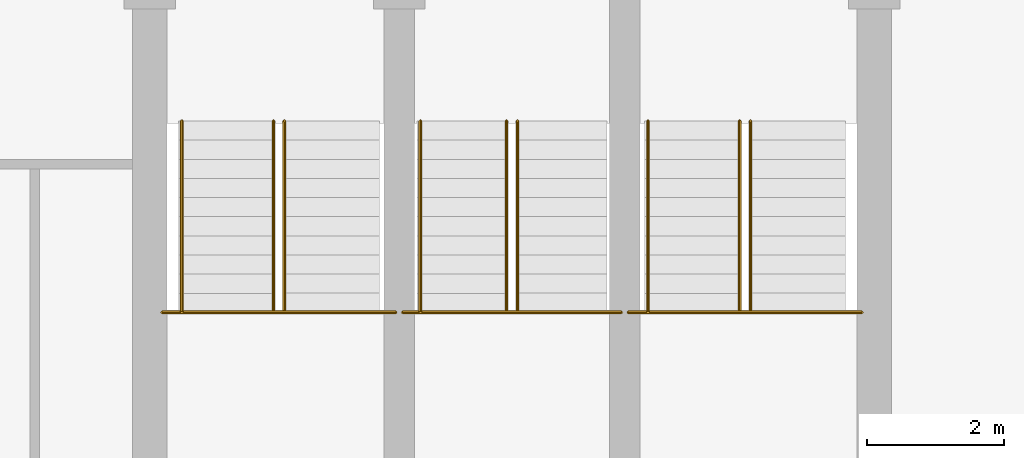
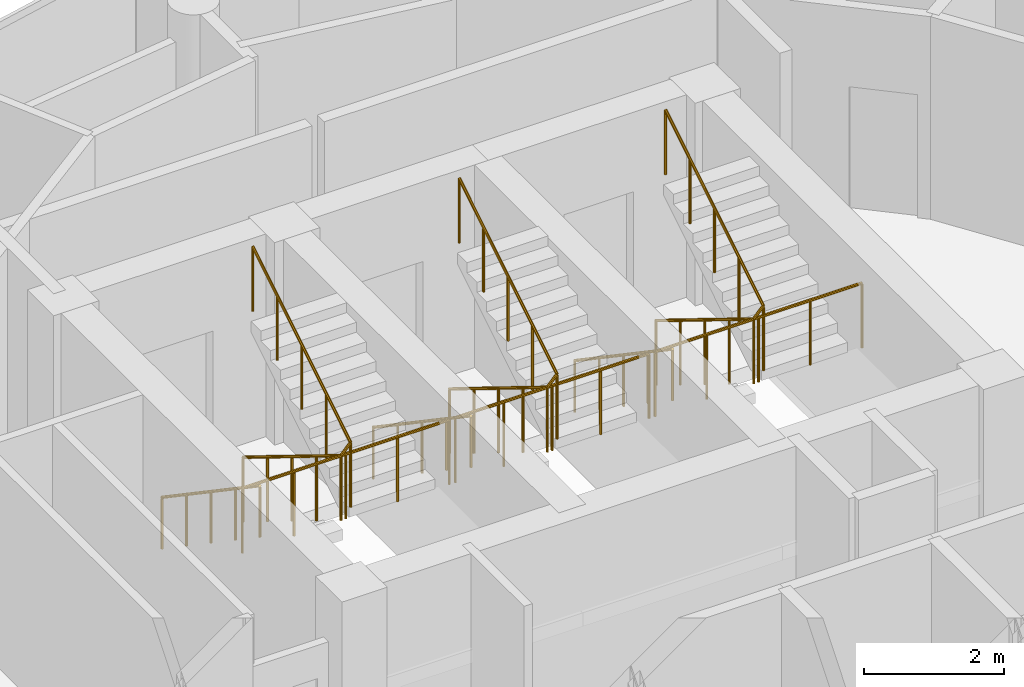
# One storey, part 24 of 24: 9 railings.
"""IFC4 building model written with IfcOpenShell, lengths in metres."""

from ifc_helpers import new_model, si_unit, direction, frame, origin, place, context, subcontext, project, spatial, polyline, outline, extrude, material, type_object, element, save


model = new_model("IFC4")

# Units and contexts
model_context = context("Model", 3, precision=1e-05, world=origin(), true_north=direction((0.0, 1.0)))
body_context = subcontext(model_context, "Body", "Model", "MODEL_VIEW")
ifc_project = project(units=[si_unit("LENGTHUNIT", "METRE"), si_unit("AREAUNIT", "SQUARE_METRE"), si_unit("VOLUMEUNIT", "CUBIC_METRE"), si_unit("PLANEANGLEUNIT", "RADIAN"), si_unit("MASSUNIT", "GRAM", prefix="KILO")], contexts=[model_context])

# Site, building, storey
site_placement = place(None, origin())
site = spatial("IfcSite", under=ifc_project, at=site_placement, CompositionType="ELEMENT")
building_placement = place(site_placement, origin())
building = spatial("IfcBuilding", under=site, at=building_placement, Name="Nuhasar Tower", CompositionType="ELEMENT")
storey_placement = place(building_placement, frame((0.0, 0.0, 274.60009765625)))
storey = spatial("IfcBuildingStorey", under=building, at=storey_placement, Name="L68", CompositionType="ELEMENT", Elevation=274.60009765625)

# Railings
ifc_material_1 = material(Name="Steel S355", Category="steel")
railing_type_1 = type_object("IfcRailingType", Name="RLG-STAIR-GUARD-1150", PredefinedType="GUARDRAIL", material=ifc_material_1)
railing_1_placement = place(storey_placement, frame((33.8798828125, 32.485107421875, 1.89990234375)))
element("IfcRailing", 1, at=railing_1_placement, inside=storey, type_object=railing_type_1, Name="L68 Stair ST-01 Guardrail LND", PredefinedType="GUARDRAIL", context=body_context, shape_type="SweptSolid", body=[
    extrude(outline(polyline([(0.024169921875, 0.0), (0.01708984375, 0.01708984375), (0.0, 0.024169921875), (-0.01708984375, 0.01708984375), (-0.024169921875, 0.0), (-0.01708984375, -0.01708984375), (0.0, -0.024169921875), (0.01708984375, -0.01708984375), (0.024169921875, 0.0)])), frame((0.0, 0.0, 1.1259765625), z_axis=(1.0, 0.0, 0.0), x_axis=(0.0, 1.0, 0.0)), (0.0, 0.0, 1.0), 3.420166015625),
    extrude(outline(polyline([(0.02099609375, 0.0), (0.014892578125, 0.014892578125), (0.0, 0.02099609375), (-0.014892578125, 0.014892578125), (-0.02099609375, 0.0), (-0.014892578125, -0.014892578125), (0.0, -0.02099609375), (0.014892578125, -0.014892578125), (0.02099609375, 0.0)])), origin(), (0.0, 0.0, 1.0), 1.101806640625),
    extrude(outline(polyline([(0.02099609375, 0.0), (0.014892578125, 0.014892578125), (0.0, 0.02099609375), (-0.014892578125, 0.014892578125), (-0.02099609375, 0.0), (-0.014892578125, -0.014892578125), (0.0, -0.02099609375), (0.014892578125, -0.014892578125), (0.02099609375, 0.0)])), frame((0.85498046875, 0.0, 0.0)), (0.0, 0.0, 1.0), 1.101806640625),
    extrude(outline(polyline([(0.02099609375, 0.0), (0.014892578125, 0.014892578125), (0.0, 0.02099609375), (-0.014892578125, 0.014892578125), (-0.02099609375, 0.0), (-0.014892578125, -0.014892578125), (0.0, -0.02099609375), (0.014892578125, -0.014892578125), (0.02099609375, 0.0)])), frame((1.7099609375, 0.0, 0.0)), (0.0, 0.0, 1.0), 1.101806640625),
    extrude(outline(polyline([(0.02099609375, 0.0), (0.014892578125, 0.014892578125), (0.0, 0.02099609375), (-0.014892578125, 0.014892578125), (-0.02099609375, 0.0), (-0.014892578125, -0.014892578125), (0.0, -0.02099609375), (0.014892578125, -0.014892578125), (0.02099609375, 0.0)])), frame((2.565185546875, 0.0, 0.0)), (0.0, 0.0, 1.0), 1.101806640625),
    extrude(outline(polyline([(0.02099609375, 0.0), (0.014892578125, 0.014892578125), (0.0, 0.02099609375), (-0.014892578125, 0.014892578125), (-0.02099609375, 0.0), (-0.014892578125, -0.014892578125), (0.0, -0.02099609375), (0.014892578125, -0.014892578125), (0.02099609375, 0.0)])), frame((3.420166015625, 0.0, 0.0)), (0.0, 0.0, 1.0), 1.101806640625),
])
railing_2_placement = place(storey_placement, frame((35.510009765625, 35.284912109375, 0.1728515625)))
element("IfcRailing", 2, at=railing_2_placement, inside=storey, type_object=railing_type_1, Name="L68 Stair ST-01 Guardrail SLT", PredefinedType="GUARDRAIL", context=body_context, shape_type="SweptSolid", body=[
    extrude(outline(polyline([(0.024169921875, 0.0), (0.01708984375, 0.01708984375), (0.0, 0.024169921875), (-0.01708984375, 0.01708984375), (-0.024169921875, 0.0), (-0.01708984375, -0.01708984375), (0.0, -0.024169921875), (0.01708984375, -0.01708984375), (0.024169921875, 0.0)])), frame((0.0, 0.0, 1.1259765625), z_axis=(0.0, -0.851102337555, 0.524999820009), x_axis=(1.0, 0.0, 0.0)), (0.0, 0.0, 1.0), 3.28955078125),
    extrude(outline(polyline([(0.024169921875, 0.0), (0.01708984375, 0.01708984375), (0.0, 0.024169921875), (-0.01708984375, 0.01708984375), (-0.024169921875, 0.0), (-0.01708984375, -0.01708984375), (0.0, -0.024169921875), (0.01708984375, -0.01708984375), (0.024169921875, 0.0)])), frame((0.0, -2.7998046875, 2.85302734375), z_axis=(0.678581247581, 0.0, 0.734525350435), x_axis=(0.0, 1.0, 0.0)), (0.0, 0.0, 1.0), 0.235595703125),
    extrude(outline(polyline([(0.024169921875, 0.0), (0.01708984375, 0.01708984375), (0.0, 0.024169921875), (-0.01708984375, 0.01708984375), (-0.024169921875, 0.0), (-0.01708984375, -0.01708984375), (0.0, -0.024169921875), (0.01708984375, -0.01708984375), (0.024169921875, 0.0)])), frame((0.159912109375, -2.7998046875, 3.02587890625), z_axis=(0.0, 0.851135498715, 0.524946057064), x_axis=(-1.0, 0.0, 0.0)), (0.0, 0.0, 1.0), 3.28955078125),
    extrude(outline(polyline([(0.02099609375, 0.0), (0.014892578125, 0.014892578125), (0.0, 0.02099609375), (-0.014892578125, 0.014892578125), (-0.02099609375, 0.0), (-0.014892578125, -0.014892578125), (0.0, -0.02099609375), (0.014892578125, -0.014892578125), (0.02099609375, 0.0)])), origin(), (0.0, 0.0, 1.0), 1.101806640625),
    extrude(outline(polyline([(0.02099609375, 0.0), (0.014892578125, 0.014892578125), (0.0, 0.02099609375), (-0.014892578125, 0.014892578125), (-0.02099609375, 0.0), (-0.014892578125, -0.014892578125), (0.0, -0.02099609375), (0.014892578125, -0.014892578125), (0.02099609375, 0.0)])), frame((0.0, -0.699951171875, 0.431640625)), (0.0, 0.0, 1.0), 1.101806640625),
    extrude(outline(polyline([(0.02099609375, 0.0), (0.014892578125, 0.014892578125), (0.0, 0.02099609375), (-0.014892578125, 0.014892578125), (-0.02099609375, 0.0), (-0.014892578125, -0.014892578125), (0.0, -0.02099609375), (0.014892578125, -0.014892578125), (0.02099609375, 0.0)])), frame((0.0, -1.39990234375, 0.863525390625)), (0.0, 0.0, 1.0), 1.101806640625),
    extrude(outline(polyline([(0.02099609375, 0.0), (0.014892578125, 0.014892578125), (0.0, 0.02099609375), (-0.014892578125, 0.014892578125), (-0.02099609375, 0.0), (-0.014892578125, -0.014892578125), (0.0, -0.02099609375), (0.014892578125, -0.014892578125), (0.02099609375, 0.0)])), frame((0.0, -2.099853515625, 1.29541015625)), (0.0, 0.0, 1.0), 1.101806640625),
    extrude(outline(polyline([(0.02099609375, 0.0), (0.014892578125, 0.014892578125), (0.0, 0.02099609375), (-0.014892578125, 0.014892578125), (-0.02099609375, 0.0), (-0.014892578125, -0.014892578125), (0.0, -0.02099609375), (0.014892578125, -0.014892578125), (0.02099609375, 0.0)])), frame((0.0, -2.7998046875, 1.72705078125)), (0.0, 0.0, 1.0), 1.101806640625),
    extrude(outline(polyline([(0.02099609375, 0.0), (0.014892578125, 0.014892578125), (0.0, 0.02099609375), (-0.014892578125, 0.014892578125), (-0.02099609375, 0.0), (-0.014892578125, -0.014892578125), (0.0, -0.02099609375), (0.014892578125, -0.014892578125), (0.02099609375, 0.0)])), frame((0.159912109375, -2.7998046875, 1.900146484375)), (0.0, 0.0, 1.0), 1.101806640625),
    extrude(outline(polyline([(0.02099609375, 0.0), (0.014892578125, 0.014892578125), (0.0, 0.02099609375), (-0.014892578125, 0.014892578125), (-0.02099609375, 0.0), (-0.014892578125, -0.014892578125), (0.0, -0.02099609375), (0.014892578125, -0.014892578125), (0.02099609375, 0.0)])), frame((0.159912109375, -2.099853515625, 2.331787109375)), (0.0, 0.0, 1.0), 1.101806640625),
    extrude(outline(polyline([(0.02099609375, 0.0), (0.014892578125, 0.014892578125), (0.0, 0.02099609375), (-0.014892578125, 0.014892578125), (-0.02099609375, 0.0), (-0.014892578125, -0.014892578125), (0.0, -0.02099609375), (0.014892578125, -0.014892578125), (0.02099609375, 0.0)])), frame((0.159912109375, -1.39990234375, 2.763671875)), (0.0, 0.0, 1.0), 1.101806640625),
    extrude(outline(polyline([(0.02099609375, 0.0), (0.014892578125, 0.014892578125), (0.0, 0.02099609375), (-0.014892578125, 0.014892578125), (-0.02099609375, 0.0), (-0.014892578125, -0.014892578125), (0.0, -0.02099609375), (0.014892578125, -0.014892578125), (0.02099609375, 0.0)])), frame((0.159912109375, -0.699951171875, 3.1953125)), (0.0, 0.0, 1.0), 1.101806640625),
    extrude(outline(polyline([(0.02099609375, 0.0), (0.014892578125, 0.014892578125), (0.0, 0.02099609375), (-0.014892578125, 0.014892578125), (-0.02099609375, 0.0), (-0.014892578125, -0.014892578125), (0.0, -0.02099609375), (0.014892578125, -0.014892578125), (0.02099609375, 0.0)])), frame((0.159912109375, 0.0, 3.626953125)), (0.0, 0.0, 1.0), 1.101806640625),
])
railing_3_placement = place(storey_placement, frame((37.39990234375, 32.485107421875, 1.89990234375)))
element("IfcRailing", 3, at=railing_3_placement, inside=storey, type_object=railing_type_1, Name="L68 Stair ST-03 Guardrail LND", PredefinedType="GUARDRAIL", context=body_context, shape_type="SweptSolid", body=[
    extrude(outline(polyline([(0.024169921875, 0.0), (0.01708984375, 0.01708984375), (0.0, 0.024169921875), (-0.01708984375, 0.01708984375), (-0.024169921875, 0.0), (-0.01708984375, -0.01708984375), (0.0, -0.024169921875), (0.01708984375, -0.01708984375), (0.024169921875, 0.0)])), frame((0.0, 0.0, 1.1259765625), z_axis=(1.0, 0.0, 0.0), x_axis=(0.0, 1.0, 0.0)), (0.0, 0.0, 1.0), 3.2001953125),
    extrude(outline(polyline([(0.02099609375, 0.0), (0.014892578125, 0.014892578125), (0.0, 0.02099609375), (-0.014892578125, 0.014892578125), (-0.02099609375, 0.0), (-0.014892578125, -0.014892578125), (0.0, -0.02099609375), (0.014892578125, -0.014892578125), (0.02099609375, 0.0)])), origin(), (0.0, 0.0, 1.0), 1.101806640625),
    extrude(outline(polyline([(0.02099609375, 0.0), (0.014892578125, 0.014892578125), (0.0, 0.02099609375), (-0.014892578125, 0.014892578125), (-0.02099609375, 0.0), (-0.014892578125, -0.014892578125), (0.0, -0.02099609375), (0.014892578125, -0.014892578125), (0.02099609375, 0.0)])), frame((0.800048828125, 0.0, 0.0)), (0.0, 0.0, 1.0), 1.101806640625),
    extrude(outline(polyline([(0.02099609375, 0.0), (0.014892578125, 0.014892578125), (0.0, 0.02099609375), (-0.014892578125, 0.014892578125), (-0.02099609375, 0.0), (-0.014892578125, -0.014892578125), (0.0, -0.02099609375), (0.014892578125, -0.014892578125), (0.02099609375, 0.0)])), frame((1.60009765625, 0.0, 0.0)), (0.0, 0.0, 1.0), 1.101806640625),
    extrude(outline(polyline([(0.02099609375, 0.0), (0.014892578125, 0.014892578125), (0.0, 0.02099609375), (-0.014892578125, 0.014892578125), (-0.02099609375, 0.0), (-0.014892578125, -0.014892578125), (0.0, -0.02099609375), (0.014892578125, -0.014892578125), (0.02099609375, 0.0)])), frame((2.400146484375, 0.0, 0.0)), (0.0, 0.0, 1.0), 1.101806640625),
    extrude(outline(polyline([(0.02099609375, 0.0), (0.014892578125, 0.014892578125), (0.0, 0.02099609375), (-0.014892578125, 0.014892578125), (-0.02099609375, 0.0), (-0.014892578125, -0.014892578125), (0.0, -0.02099609375), (0.014892578125, -0.014892578125), (0.02099609375, 0.0)])), frame((3.2001953125, 0.0, 0.0)), (0.0, 0.0, 1.0), 1.101806640625),
])
railing_4_placement = place(storey_placement, frame((38.919921875, 35.284912109375, 0.1728515625)))
element("IfcRailing", 4, at=railing_4_placement, inside=storey, type_object=railing_type_1, Name="L68 Stair ST-03 Guardrail SLT", PredefinedType="GUARDRAIL", context=body_context, shape_type="SweptSolid", body=[
    extrude(outline(polyline([(0.024169921875, 0.0), (0.01708984375, 0.01708984375), (0.0, 0.024169921875), (-0.01708984375, 0.01708984375), (-0.024169921875, 0.0), (-0.01708984375, -0.01708984375), (0.0, -0.024169921875), (0.01708984375, -0.01708984375), (0.024169921875, 0.0)])), frame((0.0, 0.0, 1.1259765625), z_axis=(0.0, -0.851102337555, 0.524999820009), x_axis=(1.0, 0.0, 0.0)), (0.0, 0.0, 1.0), 3.28955078125),
    extrude(outline(polyline([(0.024169921875, 0.0), (0.01708984375, 0.01708984375), (0.0, 0.024169921875), (-0.01708984375, 0.01708984375), (-0.024169921875, 0.0), (-0.01708984375, -0.01708984375), (0.0, -0.024169921875), (0.01708984375, -0.01708984375), (0.024169921875, 0.0)])), frame((0.0, -2.7998046875, 2.85302734375), z_axis=(0.679139610055, 0.0, 0.734009121234), x_axis=(0.0, 1.0, 0.0)), (0.0, 0.0, 1.0), 0.23583984375),
    extrude(outline(polyline([(0.024169921875, 0.0), (0.01708984375, 0.01708984375), (0.0, 0.024169921875), (-0.01708984375, 0.01708984375), (-0.024169921875, 0.0), (-0.01708984375, -0.01708984375), (0.0, -0.024169921875), (0.01708984375, -0.01708984375), (0.024169921875, 0.0)])), frame((0.16015625, -2.7998046875, 3.02587890625), z_axis=(0.0, 0.851135498715, 0.524946057064), x_axis=(-1.0, 0.0, 0.0)), (0.0, 0.0, 1.0), 3.28955078125),
    extrude(outline(polyline([(0.02099609375, 0.0), (0.014892578125, 0.014892578125), (0.0, 0.02099609375), (-0.014892578125, 0.014892578125), (-0.02099609375, 0.0), (-0.014892578125, -0.014892578125), (0.0, -0.02099609375), (0.014892578125, -0.014892578125), (0.02099609375, 0.0)])), origin(), (0.0, 0.0, 1.0), 1.101806640625),
    extrude(outline(polyline([(0.02099609375, 0.0), (0.014892578125, 0.014892578125), (0.0, 0.02099609375), (-0.014892578125, 0.014892578125), (-0.02099609375, 0.0), (-0.014892578125, -0.014892578125), (0.0, -0.02099609375), (0.014892578125, -0.014892578125), (0.02099609375, 0.0)])), frame((0.0, -0.699951171875, 0.431640625)), (0.0, 0.0, 1.0), 1.101806640625),
    extrude(outline(polyline([(0.02099609375, 0.0), (0.014892578125, 0.014892578125), (0.0, 0.02099609375), (-0.014892578125, 0.014892578125), (-0.02099609375, 0.0), (-0.014892578125, -0.014892578125), (0.0, -0.02099609375), (0.014892578125, -0.014892578125), (0.02099609375, 0.0)])), frame((0.0, -1.39990234375, 0.863525390625)), (0.0, 0.0, 1.0), 1.101806640625),
    extrude(outline(polyline([(0.02099609375, 0.0), (0.014892578125, 0.014892578125), (0.0, 0.02099609375), (-0.014892578125, 0.014892578125), (-0.02099609375, 0.0), (-0.014892578125, -0.014892578125), (0.0, -0.02099609375), (0.014892578125, -0.014892578125), (0.02099609375, 0.0)])), frame((0.0, -2.099853515625, 1.29541015625)), (0.0, 0.0, 1.0), 1.101806640625),
    extrude(outline(polyline([(0.02099609375, 0.0), (0.014892578125, 0.014892578125), (0.0, 0.02099609375), (-0.014892578125, 0.014892578125), (-0.02099609375, 0.0), (-0.014892578125, -0.014892578125), (0.0, -0.02099609375), (0.014892578125, -0.014892578125), (0.02099609375, 0.0)])), frame((0.0, -2.7998046875, 1.72705078125)), (0.0, 0.0, 1.0), 1.101806640625),
    extrude(outline(polyline([(0.02099609375, 0.0), (0.014892578125, 0.014892578125), (0.0, 0.02099609375), (-0.014892578125, 0.014892578125), (-0.02099609375, 0.0), (-0.014892578125, -0.014892578125), (0.0, -0.02099609375), (0.014892578125, -0.014892578125), (0.02099609375, 0.0)])), frame((0.16015625, -2.7998046875, 1.900146484375)), (0.0, 0.0, 1.0), 1.101806640625),
    extrude(outline(polyline([(0.02099609375, 0.0), (0.014892578125, 0.014892578125), (0.0, 0.02099609375), (-0.014892578125, 0.014892578125), (-0.02099609375, 0.0), (-0.014892578125, -0.014892578125), (0.0, -0.02099609375), (0.014892578125, -0.014892578125), (0.02099609375, 0.0)])), frame((0.16015625, -2.099853515625, 2.331787109375)), (0.0, 0.0, 1.0), 1.101806640625),
    extrude(outline(polyline([(0.02099609375, 0.0), (0.014892578125, 0.014892578125), (0.0, 0.02099609375), (-0.014892578125, 0.014892578125), (-0.02099609375, 0.0), (-0.014892578125, -0.014892578125), (0.0, -0.02099609375), (0.014892578125, -0.014892578125), (0.02099609375, 0.0)])), frame((0.16015625, -1.39990234375, 2.763671875)), (0.0, 0.0, 1.0), 1.101806640625),
    extrude(outline(polyline([(0.02099609375, 0.0), (0.014892578125, 0.014892578125), (0.0, 0.02099609375), (-0.014892578125, 0.014892578125), (-0.02099609375, 0.0), (-0.014892578125, -0.014892578125), (0.0, -0.02099609375), (0.014892578125, -0.014892578125), (0.02099609375, 0.0)])), frame((0.16015625, -0.699951171875, 3.1953125)), (0.0, 0.0, 1.0), 1.101806640625),
    extrude(outline(polyline([(0.02099609375, 0.0), (0.014892578125, 0.014892578125), (0.0, 0.02099609375), (-0.014892578125, 0.014892578125), (-0.02099609375, 0.0), (-0.014892578125, -0.014892578125), (0.0, -0.02099609375), (0.014892578125, -0.014892578125), (0.02099609375, 0.0)])), frame((0.16015625, 0.0, 3.626953125)), (0.0, 0.0, 1.0), 1.101806640625),
])
railing_5_placement = place(storey_placement, frame((40.699951171875, 32.485107421875, 1.89990234375)))
element("IfcRailing", 5, at=railing_5_placement, inside=storey, type_object=railing_type_1, Name="L68 Stair ST-02 Guardrail LND", PredefinedType="GUARDRAIL", context=body_context, shape_type="SweptSolid", body=[
    extrude(outline(polyline([(0.024169921875, 0.0), (0.01708984375, 0.01708984375), (0.0, 0.024169921875), (-0.01708984375, 0.01708984375), (-0.024169921875, 0.0), (-0.01708984375, -0.01708984375), (0.0, -0.024169921875), (0.01708984375, -0.01708984375), (0.024169921875, 0.0)])), frame((0.0, 0.0, 1.1259765625), z_axis=(1.0, 0.0, 0.0), x_axis=(0.0, 1.0, 0.0)), (0.0, 0.0, 1.0), 3.420166015625),
    extrude(outline(polyline([(0.02099609375, 0.0), (0.014892578125, 0.014892578125), (0.0, 0.02099609375), (-0.014892578125, 0.014892578125), (-0.02099609375, 0.0), (-0.014892578125, -0.014892578125), (0.0, -0.02099609375), (0.014892578125, -0.014892578125), (0.02099609375, 0.0)])), origin(), (0.0, 0.0, 1.0), 1.101806640625),
    extrude(outline(polyline([(0.02099609375, 0.0), (0.014892578125, 0.014892578125), (0.0, 0.02099609375), (-0.014892578125, 0.014892578125), (-0.02099609375, 0.0), (-0.014892578125, -0.014892578125), (0.0, -0.02099609375), (0.014892578125, -0.014892578125), (0.02099609375, 0.0)])), frame((0.85498046875, 0.0, 0.0)), (0.0, 0.0, 1.0), 1.101806640625),
    extrude(outline(polyline([(0.02099609375, 0.0), (0.014892578125, 0.014892578125), (0.0, 0.02099609375), (-0.014892578125, 0.014892578125), (-0.02099609375, 0.0), (-0.014892578125, -0.014892578125), (0.0, -0.02099609375), (0.014892578125, -0.014892578125), (0.02099609375, 0.0)])), frame((1.7099609375, 0.0, 0.0)), (0.0, 0.0, 1.0), 1.101806640625),
    extrude(outline(polyline([(0.02099609375, 0.0), (0.014892578125, 0.014892578125), (0.0, 0.02099609375), (-0.014892578125, 0.014892578125), (-0.02099609375, 0.0), (-0.014892578125, -0.014892578125), (0.0, -0.02099609375), (0.014892578125, -0.014892578125), (0.02099609375, 0.0)])), frame((2.565185546875, 0.0, 0.0)), (0.0, 0.0, 1.0), 1.101806640625),
    extrude(outline(polyline([(0.02099609375, 0.0), (0.014892578125, 0.014892578125), (0.0, 0.02099609375), (-0.014892578125, 0.014892578125), (-0.02099609375, 0.0), (-0.014892578125, -0.014892578125), (0.0, -0.02099609375), (0.014892578125, -0.014892578125), (0.02099609375, 0.0)])), frame((3.420166015625, 0.0, 0.0)), (0.0, 0.0, 1.0), 1.101806640625),
])
railing_6_placement = place(storey_placement, frame((42.330078125, 35.284912109375, 0.1728515625)))
element("IfcRailing", 6, at=railing_6_placement, inside=storey, type_object=railing_type_1, Name="L68 Stair ST-02 Guardrail SLT", PredefinedType="GUARDRAIL", context=body_context, shape_type="SweptSolid", body=[
    extrude(outline(polyline([(0.024169921875, 0.0), (0.01708984375, 0.01708984375), (0.0, 0.024169921875), (-0.01708984375, 0.01708984375), (-0.024169921875, 0.0), (-0.01708984375, -0.01708984375), (0.0, -0.024169921875), (0.01708984375, -0.01708984375), (0.024169921875, 0.0)])), frame((0.0, 0.0, 1.1259765625), z_axis=(0.0, -0.851102337555, 0.524999820009), x_axis=(1.0, 0.0, 0.0)), (0.0, 0.0, 1.0), 3.28955078125),
    extrude(outline(polyline([(0.024169921875, 0.0), (0.01708984375, 0.01708984375), (0.0, 0.024169921875), (-0.01708984375, 0.01708984375), (-0.024169921875, 0.0), (-0.01708984375, -0.01708984375), (0.0, -0.024169921875), (0.01708984375, -0.01708984375), (0.024169921875, 0.0)])), frame((0.0, -2.7998046875, 2.85302734375), z_axis=(0.678581247581, 0.0, 0.734525350435), x_axis=(0.0, 1.0, 0.0)), (0.0, 0.0, 1.0), 0.235595703125),
    extrude(outline(polyline([(0.024169921875, 0.0), (0.01708984375, 0.01708984375), (0.0, 0.024169921875), (-0.01708984375, 0.01708984375), (-0.024169921875, 0.0), (-0.01708984375, -0.01708984375), (0.0, -0.024169921875), (0.01708984375, -0.01708984375), (0.024169921875, 0.0)])), frame((0.159912109375, -2.7998046875, 3.02587890625), z_axis=(0.0, 0.851135498715, 0.524946057064), x_axis=(-1.0, 0.0, 0.0)), (0.0, 0.0, 1.0), 3.28955078125),
    extrude(outline(polyline([(0.02099609375, 0.0), (0.014892578125, 0.014892578125), (0.0, 0.02099609375), (-0.014892578125, 0.014892578125), (-0.02099609375, 0.0), (-0.014892578125, -0.014892578125), (0.0, -0.02099609375), (0.014892578125, -0.014892578125), (0.02099609375, 0.0)])), origin(), (0.0, 0.0, 1.0), 1.101806640625),
    extrude(outline(polyline([(0.02099609375, 0.0), (0.014892578125, 0.014892578125), (0.0, 0.02099609375), (-0.014892578125, 0.014892578125), (-0.02099609375, 0.0), (-0.014892578125, -0.014892578125), (0.0, -0.02099609375), (0.014892578125, -0.014892578125), (0.02099609375, 0.0)])), frame((0.0, -0.699951171875, 0.431640625)), (0.0, 0.0, 1.0), 1.101806640625),
    extrude(outline(polyline([(0.02099609375, 0.0), (0.014892578125, 0.014892578125), (0.0, 0.02099609375), (-0.014892578125, 0.014892578125), (-0.02099609375, 0.0), (-0.014892578125, -0.014892578125), (0.0, -0.02099609375), (0.014892578125, -0.014892578125), (0.02099609375, 0.0)])), frame((0.0, -1.39990234375, 0.863525390625)), (0.0, 0.0, 1.0), 1.101806640625),
    extrude(outline(polyline([(0.02099609375, 0.0), (0.014892578125, 0.014892578125), (0.0, 0.02099609375), (-0.014892578125, 0.014892578125), (-0.02099609375, 0.0), (-0.014892578125, -0.014892578125), (0.0, -0.02099609375), (0.014892578125, -0.014892578125), (0.02099609375, 0.0)])), frame((0.0, -2.099853515625, 1.29541015625)), (0.0, 0.0, 1.0), 1.101806640625),
    extrude(outline(polyline([(0.02099609375, 0.0), (0.014892578125, 0.014892578125), (0.0, 0.02099609375), (-0.014892578125, 0.014892578125), (-0.02099609375, 0.0), (-0.014892578125, -0.014892578125), (0.0, -0.02099609375), (0.014892578125, -0.014892578125), (0.02099609375, 0.0)])), frame((0.0, -2.7998046875, 1.72705078125)), (0.0, 0.0, 1.0), 1.101806640625),
    extrude(outline(polyline([(0.02099609375, 0.0), (0.014892578125, 0.014892578125), (0.0, 0.02099609375), (-0.014892578125, 0.014892578125), (-0.02099609375, 0.0), (-0.014892578125, -0.014892578125), (0.0, -0.02099609375), (0.014892578125, -0.014892578125), (0.02099609375, 0.0)])), frame((0.159912109375, -2.7998046875, 1.900146484375)), (0.0, 0.0, 1.0), 1.101806640625),
    extrude(outline(polyline([(0.02099609375, 0.0), (0.014892578125, 0.014892578125), (0.0, 0.02099609375), (-0.014892578125, 0.014892578125), (-0.02099609375, 0.0), (-0.014892578125, -0.014892578125), (0.0, -0.02099609375), (0.014892578125, -0.014892578125), (0.02099609375, 0.0)])), frame((0.159912109375, -2.099853515625, 2.331787109375)), (0.0, 0.0, 1.0), 1.101806640625),
    extrude(outline(polyline([(0.02099609375, 0.0), (0.014892578125, 0.014892578125), (0.0, 0.02099609375), (-0.014892578125, 0.014892578125), (-0.02099609375, 0.0), (-0.014892578125, -0.014892578125), (0.0, -0.02099609375), (0.014892578125, -0.014892578125), (0.02099609375, 0.0)])), frame((0.159912109375, -1.39990234375, 2.763671875)), (0.0, 0.0, 1.0), 1.101806640625),
    extrude(outline(polyline([(0.02099609375, 0.0), (0.014892578125, 0.014892578125), (0.0, 0.02099609375), (-0.014892578125, 0.014892578125), (-0.02099609375, 0.0), (-0.014892578125, -0.014892578125), (0.0, -0.02099609375), (0.014892578125, -0.014892578125), (0.02099609375, 0.0)])), frame((0.159912109375, -0.699951171875, 3.1953125)), (0.0, 0.0, 1.0), 1.101806640625),
    extrude(outline(polyline([(0.02099609375, 0.0), (0.014892578125, 0.014892578125), (0.0, 0.02099609375), (-0.014892578125, 0.014892578125), (-0.02099609375, 0.0), (-0.014892578125, -0.014892578125), (0.0, -0.02099609375), (0.014892578125, -0.014892578125), (0.02099609375, 0.0)])), frame((0.159912109375, 0.0, 3.626953125)), (0.0, 0.0, 1.0), 1.101806640625),
])
ifc_material_2 = material(Name="Stainless Steel 316L", Category="steel")
railing_type_2 = type_object("IfcRailingType", Name="RLG-STAIR-HAND-920", PredefinedType="HANDRAIL", material=ifc_material_2)
railing_7_placement = place(storey_placement, frame((34.169921875, 35.284912109375, 0.1728515625)))
element("IfcRailing", 7, at=railing_7_placement, inside=storey, type_object=railing_type_2, Name="L68 Stair ST-01 Handrail HND1", PredefinedType="HANDRAIL", context=body_context, shape_type="SweptSolid", body=[
    extrude(outline(polyline([(0.024169921875, 0.0), (0.01708984375, 0.01708984375), (0.0, 0.024169921875), (-0.01708984375, 0.01708984375), (-0.024169921875, 0.0), (-0.01708984375, -0.01708984375), (0.0, -0.024169921875), (0.01708984375, -0.01708984375), (0.024169921875, 0.0)])), frame((0.0, 0.0, 0.89599609375), z_axis=(0.0, -0.827437459516, 0.561557878219), x_axis=(1.0, 0.0, 0.0)), (0.0, 0.0, 1.0), 3.3837890625),
    extrude(outline(polyline([(0.02099609375, 0.0), (0.014892578125, 0.014892578125), (0.0, 0.02099609375), (-0.014892578125, 0.014892578125), (-0.02099609375, 0.0), (-0.014892578125, -0.014892578125), (0.0, -0.02099609375), (0.014892578125, -0.014892578125), (0.02099609375, 0.0)])), origin(), (0.0, 0.0, 1.0), 0.871826171875),
    extrude(outline(polyline([(0.02099609375, 0.0), (0.014892578125, 0.014892578125), (0.0, 0.02099609375), (-0.014892578125, 0.014892578125), (-0.02099609375, 0.0), (-0.014892578125, -0.014892578125), (0.0, -0.02099609375), (0.014892578125, -0.014892578125), (0.02099609375, 0.0)])), frame((0.0, -0.699951171875, 0.47509765625)), (0.0, 0.0, 1.0), 0.871826171875),
    extrude(outline(polyline([(0.02099609375, 0.0), (0.014892578125, 0.014892578125), (0.0, 0.02099609375), (-0.014892578125, 0.014892578125), (-0.02099609375, 0.0), (-0.014892578125, -0.014892578125), (0.0, -0.02099609375), (0.014892578125, -0.014892578125), (0.02099609375, 0.0)])), frame((0.0, -1.39990234375, 0.9501953125)), (0.0, 0.0, 1.0), 0.871826171875),
    extrude(outline(polyline([(0.02099609375, 0.0), (0.014892578125, 0.014892578125), (0.0, 0.02099609375), (-0.014892578125, 0.014892578125), (-0.02099609375, 0.0), (-0.014892578125, -0.014892578125), (0.0, -0.02099609375), (0.014892578125, -0.014892578125), (0.02099609375, 0.0)])), frame((0.0, -2.099853515625, 1.425048828125)), (0.0, 0.0, 1.0), 0.871826171875),
    extrude(outline(polyline([(0.02099609375, 0.0), (0.014892578125, 0.014892578125), (0.0, 0.02099609375), (-0.014892578125, 0.014892578125), (-0.02099609375, 0.0), (-0.014892578125, -0.014892578125), (0.0, -0.02099609375), (0.014892578125, -0.014892578125), (0.02099609375, 0.0)])), frame((0.0, -2.7998046875, 1.900146484375)), (0.0, 0.0, 1.0), 0.871826171875),
])
railing_8_placement = place(storey_placement, frame((37.659912109375, 35.284912109375, 0.1728515625)))
element("IfcRailing", 8, at=railing_8_placement, inside=storey, type_object=railing_type_2, Name="L68 Stair ST-03 Handrail HND1", PredefinedType="HANDRAIL", context=body_context, shape_type="SweptSolid", body=[
    extrude(outline(polyline([(0.024169921875, 0.0), (0.01708984375, 0.01708984375), (0.0, 0.024169921875), (-0.01708984375, 0.01708984375), (-0.024169921875, 0.0), (-0.01708984375, -0.01708984375), (0.0, -0.024169921875), (0.01708984375, -0.01708984375), (0.024169921875, 0.0)])), frame((0.0, 0.0, 0.89599609375), z_axis=(0.0, -0.827437459516, 0.561557878219), x_axis=(1.0, 0.0, 0.0)), (0.0, 0.0, 1.0), 3.3837890625),
    extrude(outline(polyline([(0.02099609375, 0.0), (0.014892578125, 0.014892578125), (0.0, 0.02099609375), (-0.014892578125, 0.014892578125), (-0.02099609375, 0.0), (-0.014892578125, -0.014892578125), (0.0, -0.02099609375), (0.014892578125, -0.014892578125), (0.02099609375, 0.0)])), origin(), (0.0, 0.0, 1.0), 0.871826171875),
    extrude(outline(polyline([(0.02099609375, 0.0), (0.014892578125, 0.014892578125), (0.0, 0.02099609375), (-0.014892578125, 0.014892578125), (-0.02099609375, 0.0), (-0.014892578125, -0.014892578125), (0.0, -0.02099609375), (0.014892578125, -0.014892578125), (0.02099609375, 0.0)])), frame((0.0, -0.699951171875, 0.47509765625)), (0.0, 0.0, 1.0), 0.871826171875),
    extrude(outline(polyline([(0.02099609375, 0.0), (0.014892578125, 0.014892578125), (0.0, 0.02099609375), (-0.014892578125, 0.014892578125), (-0.02099609375, 0.0), (-0.014892578125, -0.014892578125), (0.0, -0.02099609375), (0.014892578125, -0.014892578125), (0.02099609375, 0.0)])), frame((0.0, -1.39990234375, 0.9501953125)), (0.0, 0.0, 1.0), 0.871826171875),
    extrude(outline(polyline([(0.02099609375, 0.0), (0.014892578125, 0.014892578125), (0.0, 0.02099609375), (-0.014892578125, 0.014892578125), (-0.02099609375, 0.0), (-0.014892578125, -0.014892578125), (0.0, -0.02099609375), (0.014892578125, -0.014892578125), (0.02099609375, 0.0)])), frame((0.0, -2.099853515625, 1.425048828125)), (0.0, 0.0, 1.0), 0.871826171875),
    extrude(outline(polyline([(0.02099609375, 0.0), (0.014892578125, 0.014892578125), (0.0, 0.02099609375), (-0.014892578125, 0.014892578125), (-0.02099609375, 0.0), (-0.014892578125, -0.014892578125), (0.0, -0.02099609375), (0.014892578125, -0.014892578125), (0.02099609375, 0.0)])), frame((0.0, -2.7998046875, 1.900146484375)), (0.0, 0.0, 1.0), 0.871826171875),
])
railing_9_placement = place(storey_placement, frame((40.989990234375, 35.284912109375, 0.1728515625)))
element("IfcRailing", 9, at=railing_9_placement, inside=storey, type_object=railing_type_2, Name="L68 Stair ST-02 Handrail HND1", PredefinedType="HANDRAIL", context=body_context, shape_type="SweptSolid", body=[
    extrude(outline(polyline([(0.024169921875, 0.0), (0.01708984375, 0.01708984375), (0.0, 0.024169921875), (-0.01708984375, 0.01708984375), (-0.024169921875, 0.0), (-0.01708984375, -0.01708984375), (0.0, -0.024169921875), (0.01708984375, -0.01708984375), (0.024169921875, 0.0)])), frame((0.0, 0.0, 0.89599609375), z_axis=(0.0, -0.827437459516, 0.561557878219), x_axis=(1.0, 0.0, 0.0)), (0.0, 0.0, 1.0), 3.3837890625),
    extrude(outline(polyline([(0.02099609375, 0.0), (0.014892578125, 0.014892578125), (0.0, 0.02099609375), (-0.014892578125, 0.014892578125), (-0.02099609375, 0.0), (-0.014892578125, -0.014892578125), (0.0, -0.02099609375), (0.014892578125, -0.014892578125), (0.02099609375, 0.0)])), origin(), (0.0, 0.0, 1.0), 0.871826171875),
    extrude(outline(polyline([(0.02099609375, 0.0), (0.014892578125, 0.014892578125), (0.0, 0.02099609375), (-0.014892578125, 0.014892578125), (-0.02099609375, 0.0), (-0.014892578125, -0.014892578125), (0.0, -0.02099609375), (0.014892578125, -0.014892578125), (0.02099609375, 0.0)])), frame((0.0, -0.699951171875, 0.47509765625)), (0.0, 0.0, 1.0), 0.871826171875),
    extrude(outline(polyline([(0.02099609375, 0.0), (0.014892578125, 0.014892578125), (0.0, 0.02099609375), (-0.014892578125, 0.014892578125), (-0.02099609375, 0.0), (-0.014892578125, -0.014892578125), (0.0, -0.02099609375), (0.014892578125, -0.014892578125), (0.02099609375, 0.0)])), frame((0.0, -1.39990234375, 0.9501953125)), (0.0, 0.0, 1.0), 0.871826171875),
    extrude(outline(polyline([(0.02099609375, 0.0), (0.014892578125, 0.014892578125), (0.0, 0.02099609375), (-0.014892578125, 0.014892578125), (-0.02099609375, 0.0), (-0.014892578125, -0.014892578125), (0.0, -0.02099609375), (0.014892578125, -0.014892578125), (0.02099609375, 0.0)])), frame((0.0, -2.099853515625, 1.425048828125)), (0.0, 0.0, 1.0), 0.871826171875),
    extrude(outline(polyline([(0.02099609375, 0.0), (0.014892578125, 0.014892578125), (0.0, 0.02099609375), (-0.014892578125, 0.014892578125), (-0.02099609375, 0.0), (-0.014892578125, -0.014892578125), (0.0, -0.02099609375), (0.014892578125, -0.014892578125), (0.02099609375, 0.0)])), frame((0.0, -2.7998046875, 1.900146484375)), (0.0, 0.0, 1.0), 0.871826171875),
])

save(model, "model.ifc")
